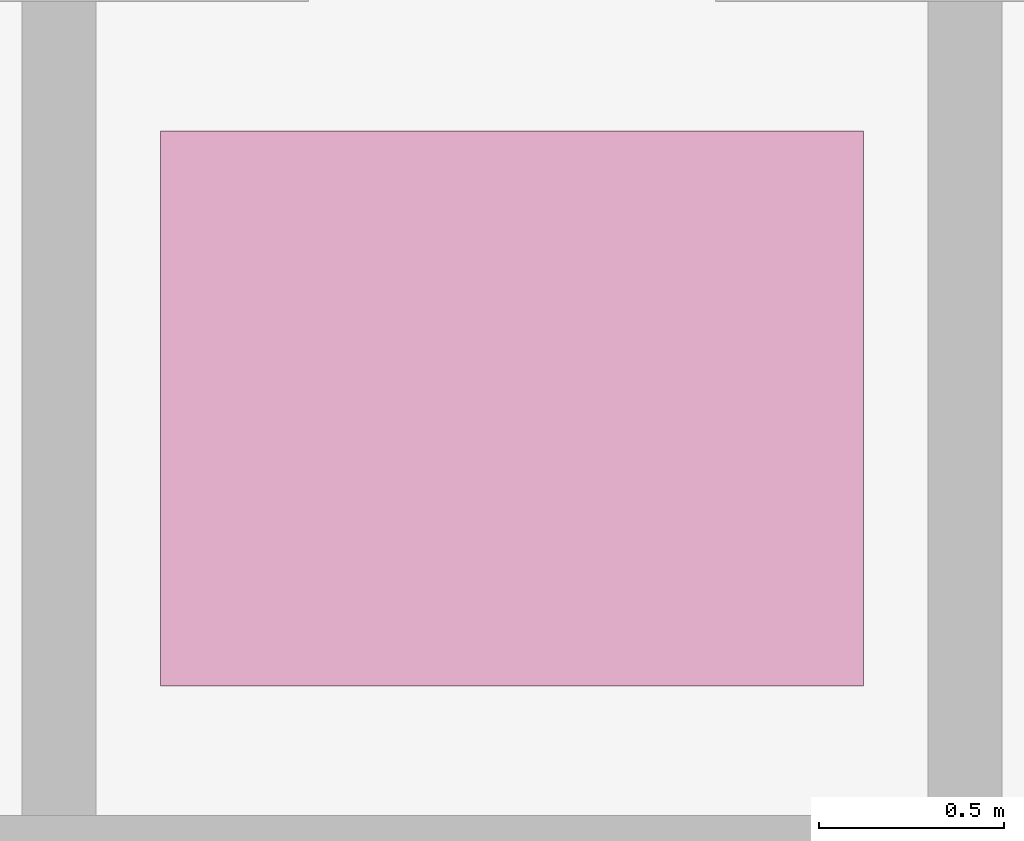
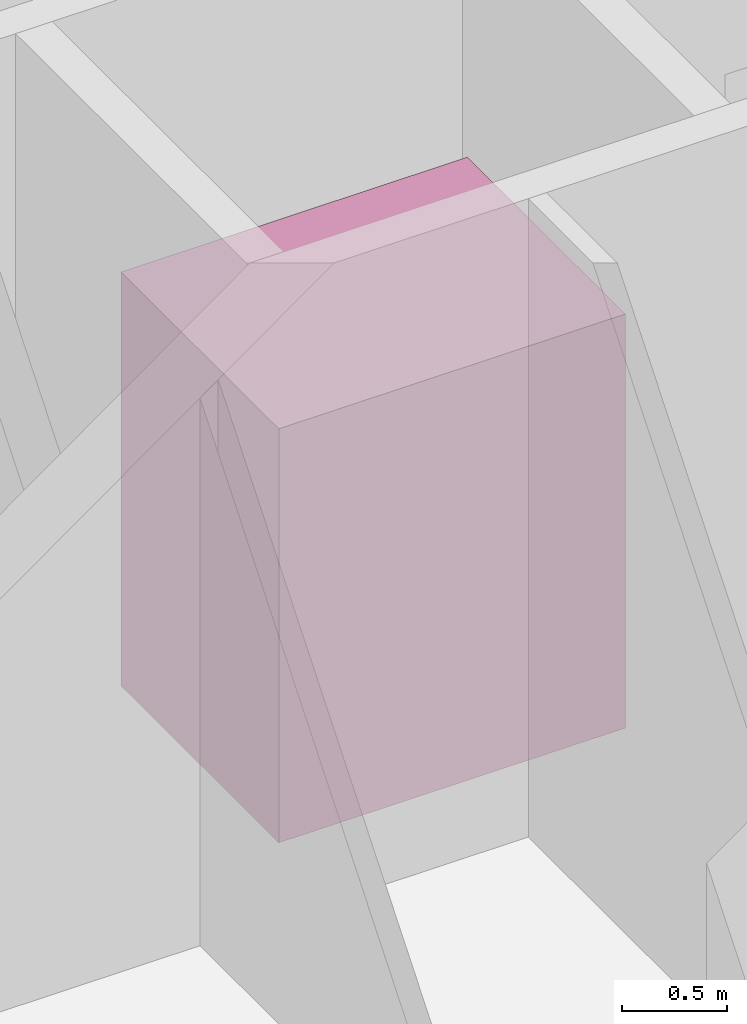
# One storey, part 10 of 10: 1 transport element.
"""IFC4 building model written with IfcOpenShell, lengths in metres."""

import ifcopenshell
import ifcopenshell.guid

model = None  # the IFC model being written
_history = None  # IfcOwnerHistory: only IFC2X3 demands one
_inside = {}  # id of a spatial element -> (the spatial element, [elements in it])
_under = {}  # id of a project, library or spatial element -> (it, [spatial elements below it])
_declared = {}  # id of a project -> (the project, [libraries it declares])
_typed = {}  # id of a type object -> (the type object, [elements of that type])
_made_of = {}  # id of a material, layer set ... -> (it, [elements and type objects made of it])


def new_model(schema):
    """Start an empty IFC model of exactly this schema.

    Asked for "IFC4X3", IfcOpenShell would pick the latest addendum, in which some entities
    have other attributes; the version numbers below select the first issue.
    IFC2X3 requires an IfcOwnerHistory on every rooted entity: one is made here for all.
    """
    global model, _history
    if schema == "IFC4X3":
        model = ifcopenshell.file(schema_version=(4, 3, 0, 0))
    else:
        model = ifcopenshell.file(schema=schema)
    _inside.clear()
    _under.clear()
    _declared.clear()
    _typed.clear()
    _made_of.clear()
    _history = None
    if model.schema == "IFC2X3":
        org = make("IfcOrganization", Name="unknown")
        user = make(
            "IfcPersonAndOrganization",
            ThePerson=make("IfcPerson", FamilyName="unknown"),
            TheOrganization=org,
        )
        app = make(
            "IfcApplication",
            ApplicationDeveloper=org,
            Version="unknown",
            ApplicationFullName="unknown",
            ApplicationIdentifier="unknown",
        )
        _history = make(
            "IfcOwnerHistory",
            OwningUser=user,
            OwningApplication=app,
            ChangeAction="ADDED",
            CreationDate=0,
        )
    return model


def make(cls, **values):
    """One entity of the class cls with the attributes given. An attribute that is None is left unset."""
    return model.create_entity(
        cls, **{name: value for name, value in values.items() if value is not None}
    )


def rooted(cls, **values):
    """An entity with a GlobalId (a new one), such as an element, a storey or a relation."""
    return make(cls, GlobalId=ifcopenshell.guid.new(), OwnerHistory=_history, **values)


def si_unit(unit_type, name, prefix=None):
    """IfcSIUnit, for example si_unit("LENGTHUNIT", "METRE", prefix="MILLI")."""
    return make("IfcSIUnit", UnitType=unit_type, Prefix=prefix, Name=name)


def assignment(units):
    """IfcUnitAssignment: the units of a project."""
    return None if units is None else make("IfcUnitAssignment", Units=units)


def point(xyz):
    """IfcCartesianPoint."""
    return None if xyz is None else make("IfcCartesianPoint", Coordinates=xyz)


def direction(xyz):
    """IfcDirection."""
    return None if xyz is None else make("IfcDirection", DirectionRatios=xyz)


def frame(location, z_axis=None, x_axis=None):
    """IfcAxis2Placement3D, a coordinate frame: its origin and axes. An axis left out is left unset."""
    return make(
        "IfcAxis2Placement3D",
        Location=point(location),
        Axis=direction(z_axis),
        RefDirection=direction(x_axis),
    )


def frame_2d(location, x_axis=None):
    """IfcAxis2Placement2D, a coordinate frame in the plane: its origin and x axis."""
    return make(
        "IfcAxis2Placement2D", Location=point(location), RefDirection=direction(x_axis)
    )


def origin():
    """The frame at (0, 0, 0) with its axes left unset."""
    return frame((0.0, 0.0, 0.0))


def origin_2d():
    """The frame at (0, 0) in the plane with its x axis left unset."""
    return frame_2d((0.0, 0.0))


def place(relative_to, where):
    """IfcLocalPlacement: puts the frame where relative to a parent placement (None: the world)."""
    return make(
        "IfcLocalPlacement", PlacementRelTo=relative_to, RelativePlacement=where
    )


def context(
    kind, dimensions, precision=None, world=None, true_north=None, identifier=None
):
    """IfcGeometricRepresentationContext, for example the 3D "Model" context."""
    return make(
        "IfcGeometricRepresentationContext",
        ContextIdentifier=identifier,
        ContextType=kind,
        CoordinateSpaceDimension=dimensions,
        Precision=precision,
        WorldCoordinateSystem=world,
        TrueNorth=true_north,
    )


def subcontext(parent, identifier, kind, view, scale=None):
    """IfcGeometricRepresentationSubContext, for example "Body" below "Model"."""
    return make(
        "IfcGeometricRepresentationSubContext",
        ContextIdentifier=identifier,
        ContextType=kind,
        ParentContext=parent,
        TargetScale=scale,
        TargetView=view,
    )


def project(units=None, contexts=None):
    """IfcProject with its units and contexts."""
    return rooted(
        "IfcProject",
        Name="project",
        RepresentationContexts=contexts,
        UnitsInContext=assignment(units),
    )


def spatial(cls, under=None, at=None, **own):
    """A site, building, storey or space (cls), placed at a placement, below another one or the project."""
    s = rooted(cls, ObjectPlacement=at, **own)
    if under is not None:
        _under.setdefault(under.id(), (under, []))[1].append(s)
    return s


def profile(cls, at=None, kind="AREA", **sizes):
    """A parametric profile (cls). Its sizes go by their IFC names, for example OverallWidth=200.0."""
    return make(cls, ProfileType=kind, Position=at, **sizes)


def rectangle(**sizes):
    """IfcRectangleProfileDef."""
    return profile("IfcRectangleProfileDef", **sizes)


def extrude(swept, where, along, depth):
    """IfcExtrudedAreaSolid: the profile swept, set in the frame where, extruded along a direction by depth."""
    return make(
        "IfcExtrudedAreaSolid",
        SweptArea=swept,
        Position=where,
        ExtrudedDirection=direction(along),
        Depth=depth,
    )


def shape(context_of_items, identifier, shape_type, items):
    """IfcShapeRepresentation: the items that make up one representation, for example the "Body"."""
    return make(
        "IfcShapeRepresentation",
        ContextOfItems=context_of_items,
        RepresentationIdentifier=identifier,
        RepresentationType=shape_type,
        Items=items,
    )


def material(Name=None, Category=None):
    """IfcMaterial."""
    return make("IfcMaterial", Name=Name, Category=Category)


def made_of(thing, what):
    """Note that an element or type object is made of a material, layer set ...; save() writes the relation."""
    if what is not None:
        _made_of.setdefault(what.id(), (what, []))[1].append(thing)
    return thing


def type_object(cls, material=None, **own):
    """A type object (cls), such as IfcWallType, which elements share."""
    return made_of(rooted(cls, **own), material)


def element(
    cls,
    number,
    at=None,
    inside=None,
    cuts=None,
    type_object=None,
    material=None,
    context=None,
    identifier="Body",
    shape_type=None,
    held_by="IfcProductDefinitionShape",
    body=None,
    shapes=None,
    **own,
):
    """One element of the class cls, such as IfcWall. Its Tag is "e" and its number.

    at: its placement. inside: the storey or other place that contains it. cuts: it is an
    opening in that element (IfcRelVoidsElement). A single representation is given by context,
    identifier, shape_type and body (its items); several are given by shapes. held_by: the class
    of the entity that holds the representations. save() writes the other relations.
    """
    e = rooted(cls, Tag="e%d" % number, ObjectPlacement=at, **own)
    if body is not None:
        shapes = [shape(context, identifier, shape_type, body)]
    if shapes is not None:
        e.Representation = make(held_by, Representations=shapes)
    if inside is not None:
        _inside.setdefault(inside.id(), (inside, []))[1].append(e)
    if cuts is not None:
        rooted(
            "IfcRelVoidsElement", RelatingBuildingElement=cuts, RelatedOpeningElement=e
        )
    if type_object is not None:
        _typed.setdefault(type_object.id(), (type_object, []))[1].append(e)
    return made_of(e, material)


def aggregate(whole, parts):
    """IfcRelAggregates: a whole, such as a stair, and the parts it consists of."""
    return rooted("IfcRelAggregates", RelatingObject=whole, RelatedObjects=parts)


def save(model, path):
    """Write the relations noted so far, then the file.

    IfcRelAggregates (storeys below a building ...), IfcRelContainedInSpatialStructure (elements
    in a storey), IfcRelDefinesByType, IfcRelAssociatesMaterial and IfcRelDeclares: one each for
    every whole, place, type object, material and project.
    """
    for whole, parts in _under.values():
        aggregate(whole, parts)
    for where, things in _inside.values():
        rooted(
            "IfcRelContainedInSpatialStructure",
            RelatedElements=things,
            RelatingStructure=where,
        )
    for kind, things in _typed.values():
        rooted("IfcRelDefinesByType", RelatedObjects=things, RelatingType=kind)
    for what, things in _made_of.values():
        rooted("IfcRelAssociatesMaterial", RelatedObjects=things, RelatingMaterial=what)
    for by, libraries in _declared.values():
        rooted("IfcRelDeclares", RelatingContext=by, RelatedDefinitions=libraries)
    model.write(path)


model = new_model("IFC4")

# Units and contexts
model_context = context("Model", 3, precision=1e-05, world=origin(), true_north=direction((0.0, 1.0)))
body_context = subcontext(model_context, "Body", "Model", "MODEL_VIEW")
ifc_project = project(units=[si_unit("LENGTHUNIT", "METRE"), si_unit("AREAUNIT", "SQUARE_METRE"), si_unit("VOLUMEUNIT", "CUBIC_METRE"), si_unit("PLANEANGLEUNIT", "RADIAN"), si_unit("MASSUNIT", "GRAM", prefix="KILO")], contexts=[model_context])

# Site, building, storey
site_placement = place(None, origin())
site = spatial("IfcSite", under=ifc_project, at=site_placement, CompositionType="ELEMENT")
building_placement = place(site_placement, origin())
building = spatial("IfcBuilding", under=site, at=building_placement, Name="Rubra Terraces Tower", CompositionType="ELEMENT")
storey_placement = place(building_placement, frame((0.0, 0.0, 134.39990234375)))
storey = spatial("IfcBuildingStorey", under=building, at=storey_placement, Name="L32", CompositionType="ELEMENT", Elevation=134.39990234375)

# Transport element
ifc_material = material(Name="Stainless steel", Category="steel")
transport_element_type = type_object("IfcTransportElementType", Name="Passenger lift 1350 kg", PredefinedType="ELEVATOR", material=ifc_material)
transport_element_placement = place(storey_placement, frame((0.0, 1.699951171875, 0.000244140625), z_axis=(0.0, 0.0, 1.0), x_axis=(1.0, 0.0, 0.0)))
element("IfcTransportElement", 1, at=transport_element_placement, inside=storey, type_object=transport_element_type, Name="Lift HB2 car", PredefinedType="ELEVATOR", context=body_context, shape_type="SweptSolid", body=[
    extrude(rectangle(XDim=1.89990234375, YDim=1.5, at=origin_2d()), origin(), (0.0, 0.0, 1.0), 2.39990234375),
])

save(model, "model.ifc")
